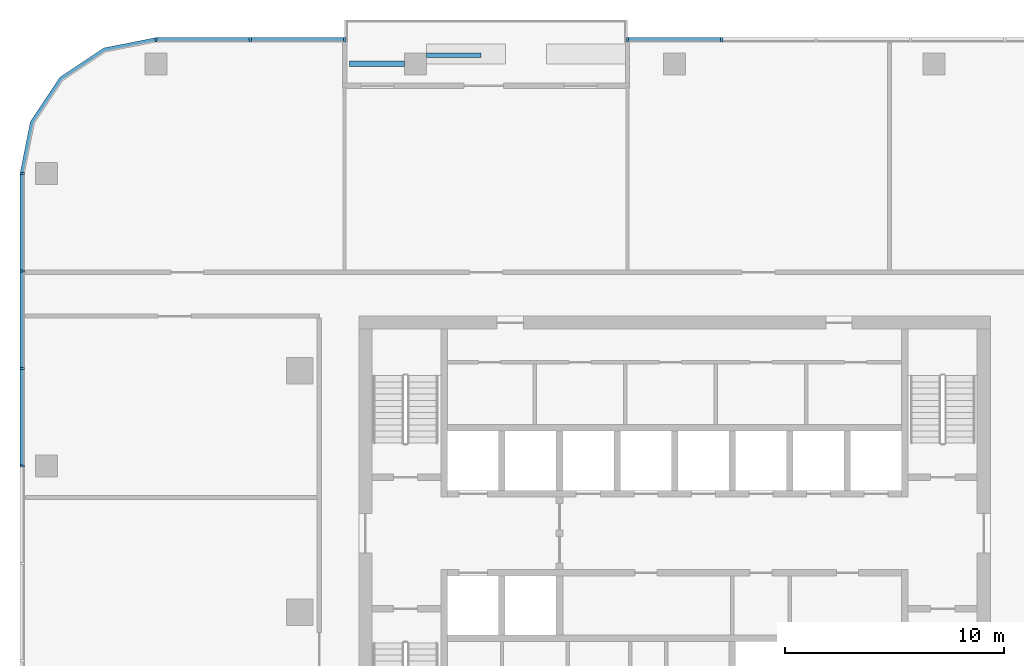
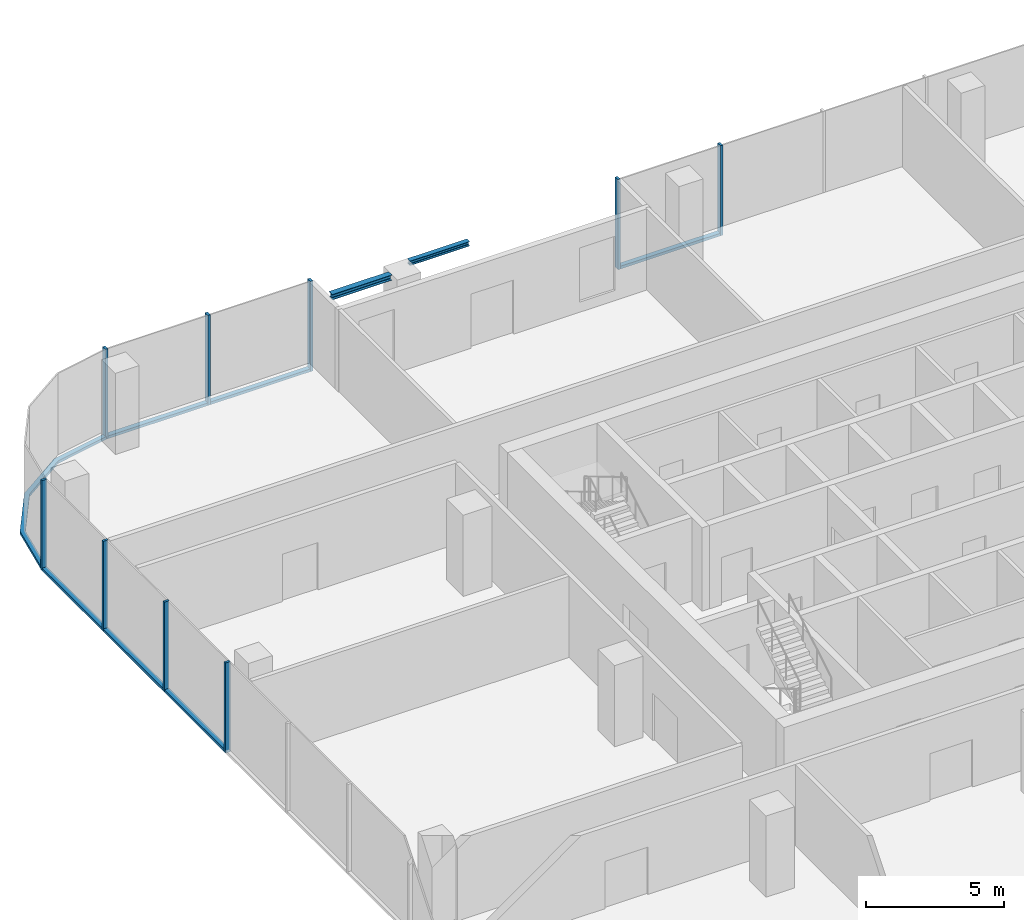
# One storey, part 4 of 13: 16 members, 2 beams, 4 elements without a shape of their own.
"""IFC4 building model written with IfcOpenShell, lengths in metres."""

from ifc_helpers import new_model, si_unit, direction, frame, origin, origin_2d, place, context, subcontext, project, spatial, polyline, rectangle, i_section, outline, extrude, material, material_profile, profile_set, type_object, element, aggregate, save


model = new_model("IFC4")

# Units and contexts
model_context = context("Model", 3, precision=1e-05, world=origin(), true_north=direction((0.0, 1.0)))
body_context = subcontext(model_context, "Body", "Model", "MODEL_VIEW")
ifc_project = project(units=[si_unit("LENGTHUNIT", "METRE"), si_unit("AREAUNIT", "SQUARE_METRE"), si_unit("VOLUMEUNIT", "CUBIC_METRE"), si_unit("PLANEANGLEUNIT", "RADIAN"), si_unit("MASSUNIT", "GRAM", prefix="KILO")], contexts=[model_context])

# Site, building, storey
site_placement = place(None, origin())
site = spatial("IfcSite", under=ifc_project, at=site_placement, CompositionType="ELEMENT")
building_placement = place(site_placement, origin())
building = spatial("IfcBuilding", under=site, at=building_placement, Name="Mopane Tessera Tower", CompositionType="ELEMENT")
storey_placement = place(building_placement, frame((0.0, 0.0, 295.39990234375)))
storey = spatial("IfcBuildingStorey", under=building, at=storey_placement, Name="L64", CompositionType="ELEMENT", Elevation=295.39990234375)

# Curtain wall, members
ifc_material_1 = material(Name="Aluminium frame", Category="aluminium")
curtain_wall_type = type_object("IfcCurtainWallType", Name="Unitised curtain wall", PredefinedType="NOTDEFINED", material=ifc_material_1)
curtain_wall_1_placement = place(storey_placement, origin())
curtain_wall_1 = element("IfcCurtainWall", 1, at=curtain_wall_1_placement, inside=storey, type_object=curtain_wall_type, Name="e:cw:L64:N:0", PredefinedType="NOTDEFINED")
ifc_material_2 = material(Name="Aluminium frame", Category="aluminium")
ifc_material_profile_1 = material_profile(ifc_material_2, rectangle(XDim=0.10009765625, YDim=0.199951171875, at=origin_2d()))
ifc_profile_set_1 = profile_set([ifc_material_profile_1], Name="Aluminium frame")
member_type_1 = type_object("IfcMemberType", Name="Aluminium mullion 100 x 200", PredefinedType="MULLION", material=ifc_profile_set_1)
member_1_placement = place(storey_placement, frame((2.14990234375, 26.10009765625, -0.39990234375), z_axis=(0.0, 0.0, 1.0), x_axis=(-1.0, 0.0, 0.0)))
member_1 = element("IfcMember", 2, at=member_1_placement, type_object=member_type_1, Name="e:cw:L64:N:0:mu5", PredefinedType="MULLION", context=body_context, shape_type="SweptSolid", body=[
    extrude(rectangle(XDim=0.10009765625, YDim=0.199951171875, at=origin_2d()), origin(), (0.0, 0.0, 1.0), 4.0),
])
member_2_placement = place(storey_placement, frame((-2.14990234375, 26.10009765625, -0.39990234375), z_axis=(0.0, 0.0, 1.0), x_axis=(-1.0, 0.0, 0.0)))
member_2 = element("IfcMember", 3, at=member_2_placement, type_object=member_type_1, Name="e:cw:L64:N:0:mu6", PredefinedType="MULLION", context=body_context, shape_type="SweptSolid", body=[
    extrude(rectangle(XDim=0.10009765625, YDim=0.199951171875, at=origin_2d()), origin(), (0.0, 0.0, 1.0), 4.0),
])

curtain_wall_2_placement = place(storey_placement, origin())
curtain_wall_2 = element("IfcCurtainWall", 4, at=curtain_wall_2_placement, inside=storey, type_object=curtain_wall_type, Name="e:cw:L64:N:9", PredefinedType="NOTDEFINED")
member_3_placement = place(storey_placement, frame((-15.050048828125, 26.10009765625, -0.39990234375), z_axis=(0.0, 0.0, 1.0), x_axis=(-1.0, 0.0, 0.0)))
member_3 = element("IfcMember", 5, at=member_3_placement, type_object=member_type_1, Name="e:cw:L64:N:9:mu9", PredefinedType="MULLION", context=body_context, shape_type="SweptSolid", body=[
    extrude(rectangle(XDim=0.10009765625, YDim=0.199951171875, at=origin_2d()), origin(), (0.0, 0.0, 1.0), 4.0),
])
member_4_placement = place(storey_placement, frame((-19.35009765625, 26.10009765625, -0.39990234375), z_axis=(0.0, 0.0, 1.0), x_axis=(-1.0, 0.0, 0.0)))
member_4 = element("IfcMember", 6, at=member_4_placement, type_object=member_type_1, Name="e:cw:L64:N:9:mu10", PredefinedType="MULLION", context=body_context, shape_type="SweptSolid", body=[
    extrude(rectangle(XDim=0.10009765625, YDim=0.199951171875, at=origin_2d()), origin(), (0.0, 0.0, 1.0), 4.0),
])
member_5_placement = place(storey_placement, frame((-23.64990234375, 26.10009765625, -0.39990234375), z_axis=(0.0, 0.0, 1.0), x_axis=(-1.0, 0.0, 0.0)))
member_5 = element("IfcMember", 7, at=member_5_placement, type_object=member_type_1, Name="e:cw:L64:N:9:mu11", PredefinedType="MULLION", context=body_context, shape_type="SweptSolid", body=[
    extrude(rectangle(XDim=0.10009765625, YDim=0.199951171875, at=origin_2d()), origin(), (0.0, 0.0, 1.0), 4.0),
])

curtain_wall_3_placement = place(storey_placement, origin())
curtain_wall_3 = element("IfcCurtainWall", 8, at=curtain_wall_3_placement, inside=storey, type_object=curtain_wall_type, Name="e:cw:L64:W:0", PredefinedType="NOTDEFINED")
member_6_placement = place(storey_placement, frame((-29.75, 20.0, -0.39990234375), z_axis=(0.0, 0.0, 1.0), x_axis=(0.0, -1.0, 0.0)))
member_6 = element("IfcMember", 9, at=member_6_placement, type_object=member_type_1, Name="e:cw:L64:W:0:mu0", PredefinedType="MULLION", context=body_context, shape_type="SweptSolid", body=[
    extrude(rectangle(XDim=0.10009765625, YDim=0.199951171875, at=origin_2d()), origin(), (0.0, 0.0, 1.0), 4.0),
])
member_7_placement = place(storey_placement, frame((-29.75, 15.5556640625, -0.39990234375), z_axis=(0.0, 0.0, 1.0), x_axis=(0.0, -1.0, 0.0)))
member_7 = element("IfcMember", 10, at=member_7_placement, type_object=member_type_1, Name="e:cw:L64:W:0:mu1", PredefinedType="MULLION", context=body_context, shape_type="SweptSolid", body=[
    extrude(rectangle(XDim=0.10009765625, YDim=0.199951171875, at=origin_2d()), origin(), (0.0, 0.0, 1.0), 4.0),
])
member_8_placement = place(storey_placement, frame((-29.75, 11.111083984375, -0.39990234375), z_axis=(0.0, 0.0, 1.0), x_axis=(0.0, -1.0, 0.0)))
member_8 = element("IfcMember", 11, at=member_8_placement, type_object=member_type_1, Name="e:cw:L64:W:0:mu2", PredefinedType="MULLION", context=body_context, shape_type="SweptSolid", body=[
    extrude(rectangle(XDim=0.10009765625, YDim=0.199951171875, at=origin_2d()), origin(), (0.0, 0.0, 1.0), 4.0),
])
member_9_placement = place(storey_placement, frame((-29.75, 6.666748046875, -0.39990234375), z_axis=(0.0, 0.0, 1.0), x_axis=(0.0, -1.0, 0.0)))
member_9 = element("IfcMember", 12, at=member_9_placement, type_object=member_type_1, Name="e:cw:L64:W:0:mu3", PredefinedType="MULLION", context=body_context, shape_type="SweptSolid", body=[
    extrude(rectangle(XDim=0.10009765625, YDim=0.199951171875, at=origin_2d()), origin(), (0.0, 0.0, 1.0), 4.0),
])

# Member
ifc_material_3 = material(Name="Aluminium frame", Category="aluminium")
ifc_material_profile_2 = material_profile(ifc_material_3, rectangle(XDim=0.199951171875, YDim=0.1201171875, at=origin_2d()))
ifc_profile_set_2 = profile_set([ifc_material_profile_2], Name="Aluminium frame")
member_type_2 = type_object("IfcMemberType", Name="Aluminium transom 200 x 120", PredefinedType="USERDEFINED", material=ifc_profile_set_2)
member_10_placement = place(storey_placement, frame((2.10009765625, 26.10009765625, -0.33984375), z_axis=(-1.0, 0.0, 0.0), x_axis=(0.0, -1.0, 0.0)))
member_10 = element("IfcMember", 13, at=member_10_placement, type_object=member_type_2, Name="e:cw:L64:N:0:tr5", ObjectType="TRANSOM", PredefinedType="USERDEFINED", context=body_context, shape_type="SweptSolid", body=[
    extrude(rectangle(XDim=0.199951171875, YDim=0.1201171875, at=origin_2d()), origin(), (0.0, 0.0, 1.0), 4.2001953125),
])

aggregate(curtain_wall_1, [member_1, member_2, member_10])

member_11_placement = place(storey_placement, frame((-15.10009765625, 26.10009765625, -0.33984375), z_axis=(-1.0, 0.0, 0.0), x_axis=(0.0, -1.0, 0.0)))
member_11 = element("IfcMember", 14, at=member_11_placement, type_object=member_type_2, Name="e:cw:L64:N:9:tr9", ObjectType="TRANSOM", PredefinedType="USERDEFINED", context=body_context, shape_type="SweptSolid", body=[
    extrude(rectangle(XDim=0.199951171875, YDim=0.1201171875, at=origin_2d()), origin(), (0.0, 0.0, 1.0), 4.199951171875),
])

member_12_placement = place(storey_placement, frame((-19.39990234375, 26.10009765625, -0.33984375), z_axis=(-1.0, 0.0, 0.0), x_axis=(0.0, -1.0, 0.0)))
member_12 = element("IfcMember", 15, at=member_12_placement, type_object=member_type_2, Name="e:cw:L64:N:9:tr10", ObjectType="TRANSOM", PredefinedType="USERDEFINED", context=body_context, shape_type="SweptSolid", body=[
    extrude(rectangle(XDim=0.199951171875, YDim=0.1201171875, at=origin_2d()), origin(), (0.0, 0.0, 1.0), 4.2001953125),
])

aggregate(curtain_wall_2, [member_3, member_4, member_5, member_11, member_12])

# Curtain wall, member
curtain_wall_4_placement = place(storey_placement, origin())
curtain_wall_4 = element("IfcCurtainWall", 16, at=curtain_wall_4_placement, inside=storey, type_object=curtain_wall_type, Name="e:cw:L64:CN", PredefinedType="NOTDEFINED")
member_13_placement = place(storey_placement, frame((0.0, 0.0, -0.39990234375)))
member_13 = element("IfcMember", 17, at=member_13_placement, type_object=member_type_2, Name="e:cw:L64:CN:tr", ObjectType="TRANSOM", PredefinedType="USERDEFINED", context=body_context, shape_type="SweptSolid", body=[
    extrude(outline(polyline([(-23.64990234375, 26.0), (-25.946044921875, 25.543212890625), (-27.892578125, 24.24267578125), (-29.193359375, 22.296142578125), (-29.64990234375, 20.0), (-29.85009765625, 20.0), (-29.378173828125, 22.37255859375), (-28.0341796875, 24.384033203125), (-26.022705078125, 25.72802734375), (-23.64990234375, 26.199951171875), (-23.64990234375, 26.0)])), origin(), (0.0, 0.0, 1.0), 0.1201171875),
])
aggregate(curtain_wall_4, [member_13])

# Member
member_14_placement = place(storey_placement, frame((-29.75, 19.949951171875, -0.33984375), z_axis=(0.0, -1.0, 0.0), x_axis=(1.0, 0.0, 0.0)))
member_14 = element("IfcMember", 18, at=member_14_placement, type_object=member_type_2, Name="e:cw:L64:W:0:tr0", ObjectType="TRANSOM", PredefinedType="USERDEFINED", context=body_context, shape_type="SweptSolid", body=[
    extrude(rectangle(XDim=0.199951171875, YDim=0.1201171875, at=origin_2d()), origin(), (0.0, 0.0, 1.0), 4.344482421875),
])

member_15_placement = place(storey_placement, frame((-29.75, 15.505615234375, -0.33984375), z_axis=(0.0, -1.0, 0.0), x_axis=(1.0, 0.0, 0.0)))
member_15 = element("IfcMember", 19, at=member_15_placement, type_object=member_type_2, Name="e:cw:L64:W:0:tr1", ObjectType="TRANSOM", PredefinedType="USERDEFINED", context=body_context, shape_type="SweptSolid", body=[
    extrude(rectangle(XDim=0.199951171875, YDim=0.1201171875, at=origin_2d()), origin(), (0.0, 0.0, 1.0), 4.344482421875),
])

member_16_placement = place(storey_placement, frame((-29.75, 11.06103515625, -0.33984375), z_axis=(0.0, -1.0, 0.0), x_axis=(1.0, 0.0, 0.0)))
member_16 = element("IfcMember", 20, at=member_16_placement, type_object=member_type_2, Name="e:cw:L64:W:0:tr2", ObjectType="TRANSOM", PredefinedType="USERDEFINED", context=body_context, shape_type="SweptSolid", body=[
    extrude(rectangle(XDim=0.199951171875, YDim=0.1201171875, at=origin_2d()), origin(), (0.0, 0.0, 1.0), 4.344482421875),
])

aggregate(curtain_wall_3, [member_6, member_7, member_8, member_9, member_14, member_15, member_16])

# Beams
ifc_material_4 = material(Name="Structural steel S460", Category="steel")
ifc_material_profile_3 = material_profile(ifc_material_4, i_section(OverallWidth=0.239990234375, OverallDepth=0.239990234375, WebThickness=0.010009765625, FlangeThickness=0.01708984375, FilletRadius=0.02099609375, at=origin_2d()))
ifc_profile_set_3 = profile_set([ifc_material_profile_3], Name="Structural steel S460")
beam_type_1 = type_object("IfcBeamType", Name="Terrace spandrel beam HE 240 B", PredefinedType="SPANDREL", material=ifc_profile_set_3)
beam_1_placement = place(storey_placement, frame((-12.327880859375, 25.0, 3.47998046875), z_axis=(-1.0, 0.0, 0.0), x_axis=(0.0, -1.0, 0.0)))
element("IfcBeam", 21, at=beam_1_placement, inside=storey, type_object=beam_type_1, Name="Terrace spandrel beam N2 L65", PredefinedType="SPANDREL", context=body_context, shape_type="SweptSolid", body=[
    extrude(i_section(OverallWidth=0.239990234375, OverallDepth=0.239990234375, WebThickness=0.010009765625, FlangeThickness=0.01708984375, FilletRadius=0.02099609375, at=origin_2d()), origin(), (0.0, 0.0, 1.0), 2.5),
])
ifc_material_5 = material(Name="Structural steel S460", Category="steel")
ifc_material_profile_4 = material_profile(ifc_material_5, i_section(OverallWidth=0.199951171875, OverallDepth=0.199951171875, WebThickness=0.009033203125, FlangeThickness=0.014892578125, FilletRadius=0.01806640625, at=origin_2d()))
ifc_profile_set_4 = profile_set([ifc_material_profile_4], Name="Structural steel S460")
beam_type_2 = type_object("IfcBeamType", Name="Terrace trimmer beam HE 200 B", PredefinedType="BEAM", material=ifc_profile_set_4)
beam_2_placement = place(storey_placement, frame((-11.322021484375, 25.39990234375, 3.5), z_axis=(1.0, 0.0, 0.0), x_axis=(0.0, 1.0, 0.0)))
element("IfcBeam", 22, at=beam_2_placement, inside=storey, type_object=beam_type_2, Name="Terrace trimmer beam N2 L65", PredefinedType="BEAM", context=body_context, shape_type="SweptSolid", body=[
    extrude(i_section(OverallWidth=0.199951171875, OverallDepth=0.199951171875, WebThickness=0.009033203125, FlangeThickness=0.014892578125, FilletRadius=0.01806640625, at=origin_2d()), origin(), (0.0, 0.0, 1.0), 2.5),
])

save(model, "model.ifc")
